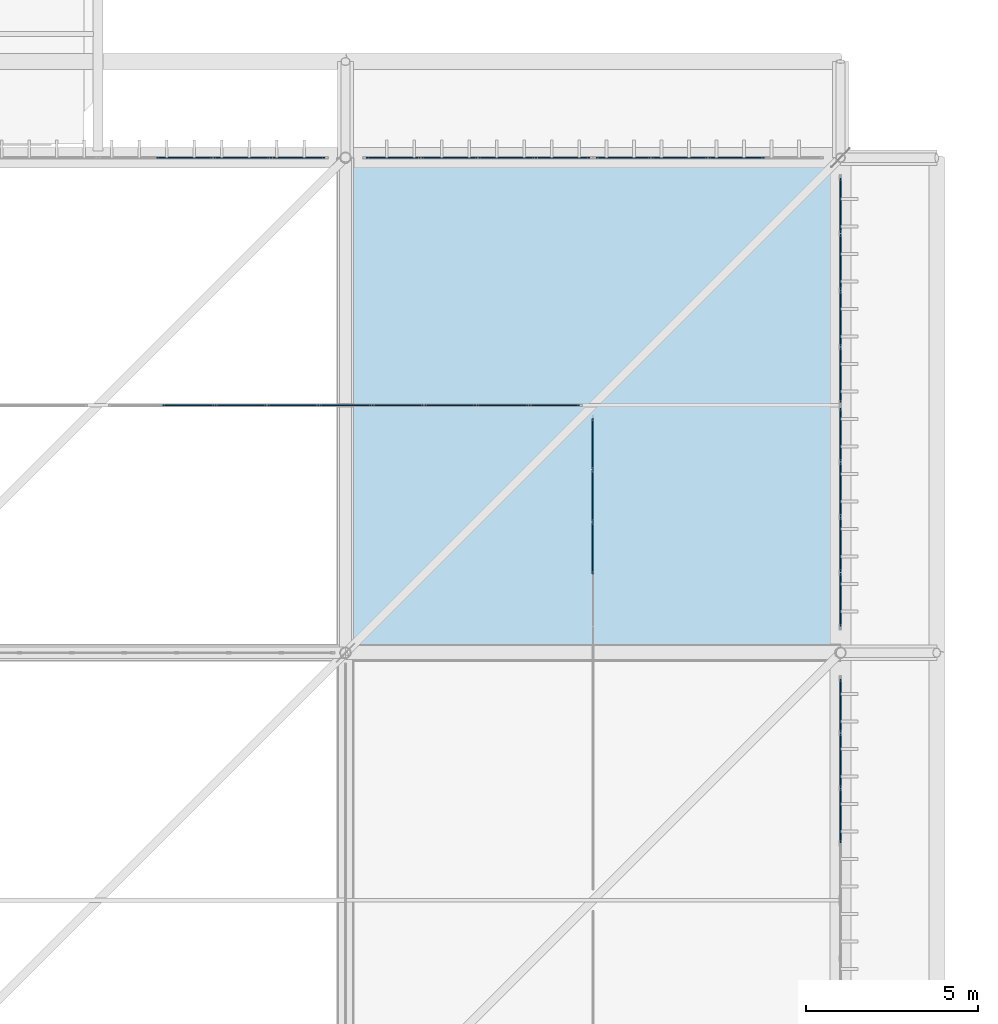
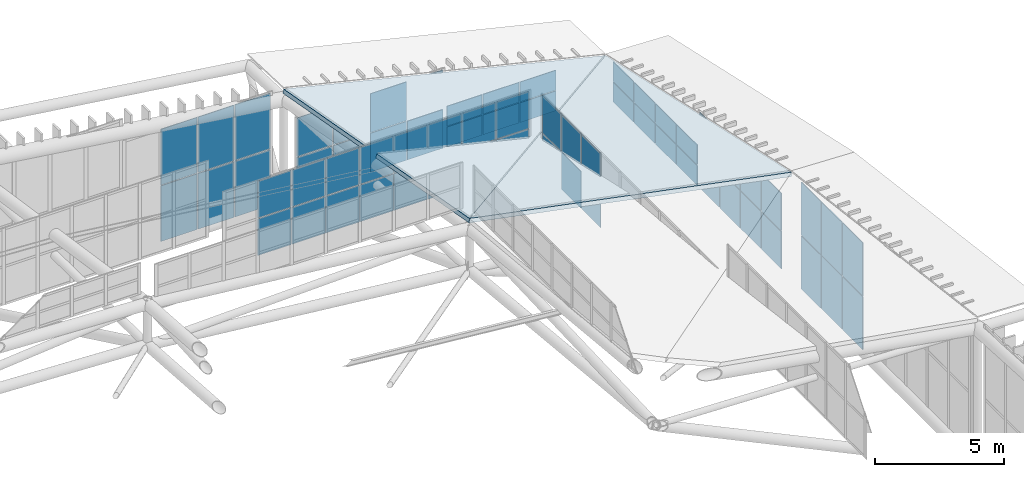
# One storey, part 383 of 397: 64 plates, 2 slabs, 8 elements without a shape of their own.
"""IFC4 building model written with IfcOpenShell, lengths in metres."""

from ifc_helpers import new_model, si_unit, direction, frame, origin, origin_2d, place, context, subcontext, project, spatial, polyline, rectangle, outline, extrude, material, layer, layer_set, type_object, element, aggregate, save


model = new_model("IFC4")

# Units and contexts
model_context = context("Model", 3, precision=1e-05, world=origin(), true_north=direction((0.0, 1.0)))
body_context = subcontext(model_context, "Body", "Model", "MODEL_VIEW")
ifc_project = project(units=[si_unit("LENGTHUNIT", "METRE"), si_unit("AREAUNIT", "SQUARE_METRE"), si_unit("VOLUMEUNIT", "CUBIC_METRE"), si_unit("PLANEANGLEUNIT", "RADIAN"), si_unit("MASSUNIT", "GRAM", prefix="KILO")], contexts=[model_context])

# Site, building, storey
site_placement = place(None, origin())
site = spatial("IfcSite", under=ifc_project, at=site_placement, CompositionType="ELEMENT")
building_placement = place(site_placement, origin())
building = spatial("IfcBuilding", under=site, at=building_placement, Name="Qandorah Velis Arena", CompositionType="ELEMENT")
storey_placement = place(building_placement, frame((0.0, 0.0, 27.5)))
storey = spatial("IfcBuildingStorey", under=building, at=storey_placement, Name="RF", CompositionType="ELEMENT", Elevation=27.5)

# Curtain wall, plates
ifc_material_1 = material(Name="Solar-control low-E double glazing", Category="glass")
curtain_wall_type_1 = type_object("IfcCurtainWallType", Name="ARC-CW-SYS18", PredefinedType="USERDEFINED", material=ifc_material_1)
curtain_wall_1_placement = place(storey_placement, origin())
curtain_wall_1 = element("IfcCurtainWall", 1, at=curtain_wall_1_placement, inside=storey, type_object=curtain_wall_type_1, Name="Unitised curtain wall MON-2-6", ObjectType="UNITISED CURTAIN WALL", PredefinedType="USERDEFINED")
ifc_layer_1 = layer(ifc_material_1, 0.030029296875)
ifc_layer_set_1 = layer_set([ifc_layer_1], Name="Solar-control low-E double glazing")
plate_type_1 = type_object("IfcPlateType", Name="ARC-CWP-GLZ30", PredefinedType="CURTAIN_PANEL", material=ifc_layer_set_1)
plate_1_placement = place(storey_placement, frame((108.0, 103.844482421875, 3.58642578125), z_axis=(0.0, 0.0, 1.0), x_axis=(0.0, 1.0, 0.0)))
plate_1 = element("IfcPlate", 2, at=plate_1_placement, type_object=plate_type_1, Name="CW18 panel 7.1", PredefinedType="CURTAIN_PANEL", context=body_context, shape_type="SweptSolid", body=[
    extrude(rectangle(XDim=1.4873046875, YDim=0.030029296875, at=origin_2d()), origin(), (0.0, 0.0, 1.0), 1.737548828125),
])
plate_2_placement = place(storey_placement, frame((108.0, 103.844482421875, 5.35888671875), z_axis=(0.0, 0.0, 1.0), x_axis=(0.0, 1.0, 0.0)))
plate_2 = element("IfcPlate", 3, at=plate_2_placement, type_object=plate_type_1, Name="CW18 panel 7.2", PredefinedType="CURTAIN_PANEL", context=body_context, shape_type="SweptSolid", body=[
    extrude(rectangle(XDim=1.4873046875, YDim=0.030029296875, at=origin_2d()), origin(), (0.0, 0.0, 1.0), 1.737548828125),
])
plate_3_placement = place(storey_placement, frame((108.0, 105.36669921875, 3.58642578125), z_axis=(0.0, 0.0, 1.0), x_axis=(0.0, 1.0, 0.0)))
plate_3 = element("IfcPlate", 4, at=plate_3_placement, type_object=plate_type_1, Name="CW18 panel 8.1", PredefinedType="CURTAIN_PANEL", context=body_context, shape_type="SweptSolid", body=[
    extrude(rectangle(XDim=1.4873046875, YDim=0.030029296875, at=origin_2d()), origin(), (0.0, 0.0, 1.0), 1.737548828125),
])
plate_4_placement = place(storey_placement, frame((108.0, 105.36669921875, 5.35888671875), z_axis=(0.0, 0.0, 1.0), x_axis=(0.0, 1.0, 0.0)))
plate_4 = element("IfcPlate", 5, at=plate_4_placement, type_object=plate_type_1, Name="CW18 panel 8.2", PredefinedType="CURTAIN_PANEL", context=body_context, shape_type="SweptSolid", body=[
    extrude(rectangle(XDim=1.4873046875, YDim=0.030029296875, at=origin_2d()), origin(), (0.0, 0.0, 1.0), 1.737548828125),
])
plate_5_placement = place(storey_placement, frame((108.0, 106.875244140625, 3.58642578125), z_axis=(0.0, 0.0, 1.0), x_axis=(0.0, 1.0, 0.0)))
plate_5 = element("IfcPlate", 6, at=plate_5_placement, type_object=plate_type_1, Name="CW18 panel 9.1", PredefinedType="CURTAIN_PANEL", context=body_context, shape_type="SweptSolid", body=[
    extrude(rectangle(XDim=1.459716796875, YDim=0.030029296875, at=origin_2d()), origin(), (0.0, 0.0, 1.0), 1.737548828125),
])
plate_6_placement = place(storey_placement, frame((108.0, 106.875244140625, 5.35888671875), z_axis=(0.0, 0.0, 1.0), x_axis=(0.0, 1.0, 0.0)))
plate_6 = element("IfcPlate", 7, at=plate_6_placement, type_object=plate_type_1, Name="CW18 panel 9.2", PredefinedType="CURTAIN_PANEL", context=body_context, shape_type="SweptSolid", body=[
    extrude(rectangle(XDim=1.459716796875, YDim=0.030029296875, at=origin_2d()), origin(), (0.0, 0.0, 1.0), 1.737548828125),
])
aggregate(curtain_wall_1, [plate_1, plate_2, plate_3, plate_4, plate_5, plate_6])

curtain_wall_type_2 = type_object("IfcCurtainWallType", Name="ARC-CW-SYS06", PredefinedType="USERDEFINED", material=ifc_material_1)
curtain_wall_2_placement = place(storey_placement, origin())
curtain_wall_2 = element("IfcCurtainWall", 8, at=curtain_wall_2_placement, inside=storey, type_object=curtain_wall_type_2, Name="Unitised curtain wall MON-4-6", ObjectType="UNITISED CURTAIN WALL", PredefinedType="USERDEFINED")
plate_7_placement = place(storey_placement, frame((96.2333984375, 108.0, 3.685546875), z_axis=(0.0, 0.0, 1.0), x_axis=(1.0, 0.0, 0.0)))
plate_7 = element("IfcPlate", 9, at=plate_7_placement, type_object=plate_type_1, Name="CW06 panel 2.1", PredefinedType="CURTAIN_PANEL", context=body_context, shape_type="SweptSolid", body=[
    extrude(rectangle(XDim=1.4873046875, YDim=0.030029296875, at=origin_2d()), origin(), (0.0, 0.0, 1.0), 1.737548828125),
])
plate_8_placement = place(storey_placement, frame((96.2333984375, 108.0, 5.45849609375), z_axis=(0.0, 0.0, 1.0), x_axis=(1.0, 0.0, 0.0)))
plate_8 = element("IfcPlate", 10, at=plate_8_placement, type_object=plate_type_1, Name="CW06 panel 2.2", PredefinedType="CURTAIN_PANEL", context=body_context, shape_type="SweptSolid", body=[
    extrude(rectangle(XDim=1.4873046875, YDim=0.030029296875, at=origin_2d()), origin(), (0.0, 0.0, 1.0), 1.737548828125),
])
plate_9_placement = place(storey_placement, frame((97.755615234375, 108.0, 3.685546875), z_axis=(0.0, 0.0, 1.0), x_axis=(1.0, 0.0, 0.0)))
plate_9 = element("IfcPlate", 11, at=plate_9_placement, type_object=plate_type_1, Name="CW06 panel 3.1", PredefinedType="CURTAIN_PANEL", context=body_context, shape_type="SweptSolid", body=[
    extrude(rectangle(XDim=1.4873046875, YDim=0.030029296875, at=origin_2d()), origin(), (0.0, 0.0, 1.0), 1.737548828125),
])
plate_10_placement = place(storey_placement, frame((97.755615234375, 108.0, 5.45849609375), z_axis=(0.0, 0.0, 1.0), x_axis=(1.0, 0.0, 0.0)))
plate_10 = element("IfcPlate", 12, at=plate_10_placement, type_object=plate_type_1, Name="CW06 panel 3.2", PredefinedType="CURTAIN_PANEL", context=body_context, shape_type="SweptSolid", body=[
    extrude(rectangle(XDim=1.4873046875, YDim=0.030029296875, at=origin_2d()), origin(), (0.0, 0.0, 1.0), 1.737548828125),
])
plate_11_placement = place(storey_placement, frame((99.27783203125, 108.0, 3.685546875), z_axis=(0.0, 0.0, 1.0), x_axis=(1.0, 0.0, 0.0)))
plate_11 = element("IfcPlate", 13, at=plate_11_placement, type_object=plate_type_1, Name="CW06 panel 4.1", PredefinedType="CURTAIN_PANEL", context=body_context, shape_type="SweptSolid", body=[
    extrude(rectangle(XDim=1.4873046875, YDim=0.030029296875, at=origin_2d()), origin(), (0.0, 0.0, 1.0), 1.737548828125),
])
plate_12_placement = place(storey_placement, frame((99.27783203125, 108.0, 5.45849609375), z_axis=(0.0, 0.0, 1.0), x_axis=(1.0, 0.0, 0.0)))
plate_12 = element("IfcPlate", 14, at=plate_12_placement, type_object=plate_type_1, Name="CW06 panel 4.2", PredefinedType="CURTAIN_PANEL", context=body_context, shape_type="SweptSolid", body=[
    extrude(rectangle(XDim=1.4873046875, YDim=0.030029296875, at=origin_2d()), origin(), (0.0, 0.0, 1.0), 1.737548828125),
])
plate_13_placement = place(storey_placement, frame((100.800048828125, 108.0, 3.685546875), z_axis=(0.0, 0.0, 1.0), x_axis=(1.0, 0.0, 0.0)))
plate_13 = element("IfcPlate", 15, at=plate_13_placement, type_object=plate_type_1, Name="CW06 panel 5.1", PredefinedType="CURTAIN_PANEL", context=body_context, shape_type="SweptSolid", body=[
    extrude(rectangle(XDim=1.4873046875, YDim=0.030029296875, at=origin_2d()), origin(), (0.0, 0.0, 1.0), 1.737548828125),
])
plate_14_placement = place(storey_placement, frame((100.800048828125, 108.0, 5.45849609375), z_axis=(0.0, 0.0, 1.0), x_axis=(1.0, 0.0, 0.0)))
plate_14 = element("IfcPlate", 16, at=plate_14_placement, type_object=plate_type_1, Name="CW06 panel 5.2", PredefinedType="CURTAIN_PANEL", context=body_context, shape_type="SweptSolid", body=[
    extrude(rectangle(XDim=1.4873046875, YDim=0.030029296875, at=origin_2d()), origin(), (0.0, 0.0, 1.0), 1.737548828125),
])
plate_15_placement = place(storey_placement, frame((102.322265625, 108.0, 3.685546875), z_axis=(0.0, 0.0, 1.0), x_axis=(1.0, 0.0, 0.0)))
plate_15 = element("IfcPlate", 17, at=plate_15_placement, type_object=plate_type_1, Name="CW06 panel 6.1", PredefinedType="CURTAIN_PANEL", context=body_context, shape_type="SweptSolid", body=[
    extrude(rectangle(XDim=1.4873046875, YDim=0.030029296875, at=origin_2d()), origin(), (0.0, 0.0, 1.0), 1.737548828125),
])
plate_16_placement = place(storey_placement, frame((102.322265625, 108.0, 5.45849609375), z_axis=(0.0, 0.0, 1.0), x_axis=(1.0, 0.0, 0.0)))
plate_16 = element("IfcPlate", 18, at=plate_16_placement, type_object=plate_type_1, Name="CW06 panel 6.2", PredefinedType="CURTAIN_PANEL", context=body_context, shape_type="SweptSolid", body=[
    extrude(rectangle(XDim=1.4873046875, YDim=0.030029296875, at=origin_2d()), origin(), (0.0, 0.0, 1.0), 1.737548828125),
])
plate_17_placement = place(storey_placement, frame((103.844482421875, 108.0, 3.685546875), z_axis=(0.0, 0.0, 1.0), x_axis=(1.0, 0.0, 0.0)))
plate_17 = element("IfcPlate", 19, at=plate_17_placement, type_object=plate_type_1, Name="CW06 panel 7.1", PredefinedType="CURTAIN_PANEL", context=body_context, shape_type="SweptSolid", body=[
    extrude(rectangle(XDim=1.4873046875, YDim=0.030029296875, at=origin_2d()), origin(), (0.0, 0.0, 1.0), 1.737548828125),
])
plate_18_placement = place(storey_placement, frame((103.844482421875, 108.0, 5.45849609375), z_axis=(0.0, 0.0, 1.0), x_axis=(1.0, 0.0, 0.0)))
plate_18 = element("IfcPlate", 20, at=plate_18_placement, type_object=plate_type_1, Name="CW06 panel 7.2", PredefinedType="CURTAIN_PANEL", context=body_context, shape_type="SweptSolid", body=[
    extrude(rectangle(XDim=1.4873046875, YDim=0.030029296875, at=origin_2d()), origin(), (0.0, 0.0, 1.0), 1.737548828125),
])
plate_19_placement = place(storey_placement, frame((105.36669921875, 108.0, 3.685546875), z_axis=(0.0, 0.0, 1.0), x_axis=(1.0, 0.0, 0.0)))
plate_19 = element("IfcPlate", 21, at=plate_19_placement, type_object=plate_type_1, Name="CW06 panel 8.1", PredefinedType="CURTAIN_PANEL", context=body_context, shape_type="SweptSolid", body=[
    extrude(rectangle(XDim=1.4873046875, YDim=0.030029296875, at=origin_2d()), origin(), (0.0, 0.0, 1.0), 1.737548828125),
])
plate_20_placement = place(storey_placement, frame((105.36669921875, 108.0, 5.45849609375), z_axis=(0.0, 0.0, 1.0), x_axis=(1.0, 0.0, 0.0)))
plate_20 = element("IfcPlate", 22, at=plate_20_placement, type_object=plate_type_1, Name="CW06 panel 8.2", PredefinedType="CURTAIN_PANEL", context=body_context, shape_type="SweptSolid", body=[
    extrude(rectangle(XDim=1.4873046875, YDim=0.030029296875, at=origin_2d()), origin(), (0.0, 0.0, 1.0), 1.737548828125),
])
plate_21_placement = place(storey_placement, frame((106.875244140625, 108.0, 3.685546875), z_axis=(0.0, 0.0, 1.0), x_axis=(1.0, 0.0, 0.0)))
plate_21 = element("IfcPlate", 23, at=plate_21_placement, type_object=plate_type_1, Name="CW06 panel 9.1", PredefinedType="CURTAIN_PANEL", context=body_context, shape_type="SweptSolid", body=[
    extrude(rectangle(XDim=1.459716796875, YDim=0.030029296875, at=origin_2d()), origin(), (0.0, 0.0, 1.0), 1.737548828125),
])
plate_22_placement = place(storey_placement, frame((106.875244140625, 108.0, 5.45849609375), z_axis=(0.0, 0.0, 1.0), x_axis=(1.0, 0.0, 0.0)))
plate_22 = element("IfcPlate", 24, at=plate_22_placement, type_object=plate_type_1, Name="CW06 panel 9.2", PredefinedType="CURTAIN_PANEL", context=body_context, shape_type="SweptSolid", body=[
    extrude(rectangle(XDim=1.459716796875, YDim=0.030029296875, at=origin_2d()), origin(), (0.0, 0.0, 1.0), 1.737548828125),
])
aggregate(curtain_wall_2, [plate_7, plate_8, plate_9, plate_10, plate_11, plate_12, plate_13, plate_14, plate_15, plate_16, plate_17, plate_18, plate_19, plate_20, plate_21, plate_22])

curtain_wall_type_3 = type_object("IfcCurtainWallType", Name="ARC-CW-SYS16", PredefinedType="USERDEFINED", material=ifc_material_1)
curtain_wall_3_placement = place(storey_placement, origin())
curtain_wall_3 = element("IfcCurtainWall", 25, at=curtain_wall_3_placement, inside=storey, type_object=curtain_wall_type_3, Name="Unitised curtain wall CROWN-2-07S2", ObjectType="UNITISED CURTAIN WALL", PredefinedType="USERDEFINED")
ifc_layer_2 = layer(ifc_material_1, 0.035888671875)
ifc_layer_set_2 = layer_set([ifc_layer_2], Name="Solar-control low-E double glazing")
plate_type_2 = type_object("IfcPlateType", Name="ARC-CWP-GLZ36", PredefinedType="CURTAIN_PANEL", material=ifc_layer_set_2)
plate_23_placement = place(storey_placement, frame((115.199951171875, 96.05322265625, 0.0498046875), z_axis=(0.0, 0.0, 1.0), x_axis=(0.0, 1.0, 0.0)))
plate_23 = element("IfcPlate", 26, at=plate_23_placement, type_object=plate_type_2, Name="CW16 panel 2.1", PredefinedType="CURTAIN_PANEL", context=body_context, shape_type="SweptSolid", body=[
    extrude(rectangle(XDim=1.56884765625, YDim=0.035888671875, at=origin_2d()), origin(), (0.0, 0.0, 1.0), 2.505615234375),
])
plate_24_placement = place(storey_placement, frame((115.199951171875, 96.05322265625, 2.595703125), z_axis=(0.0, 0.0, 1.0), x_axis=(0.0, 1.0, 0.0)))
plate_24 = element("IfcPlate", 27, at=plate_24_placement, type_object=plate_type_2, Name="CW16 panel 2.2", PredefinedType="CURTAIN_PANEL", context=body_context, shape_type="SweptSolid", body=[
    extrude(rectangle(XDim=1.56884765625, YDim=0.035888671875, at=origin_2d()), origin(), (0.0, 0.0, 1.0), 2.505615234375),
])
plate_25_placement = place(storey_placement, frame((115.199951171875, 97.661865234375, 0.0498046875), z_axis=(0.0, 0.0, 1.0), x_axis=(0.0, 1.0, 0.0)))
plate_25 = element("IfcPlate", 28, at=plate_25_placement, type_object=plate_type_2, Name="CW16 panel 3.1", PredefinedType="CURTAIN_PANEL", context=body_context, shape_type="SweptSolid", body=[
    extrude(rectangle(XDim=1.56884765625, YDim=0.035888671875, at=origin_2d()), origin(), (0.0, 0.0, 1.0), 2.505615234375),
])
plate_26_placement = place(storey_placement, frame((115.199951171875, 97.661865234375, 2.595703125), z_axis=(0.0, 0.0, 1.0), x_axis=(0.0, 1.0, 0.0)))
plate_26 = element("IfcPlate", 29, at=plate_26_placement, type_object=plate_type_2, Name="CW16 panel 3.2", PredefinedType="CURTAIN_PANEL", context=body_context, shape_type="SweptSolid", body=[
    extrude(rectangle(XDim=1.56884765625, YDim=0.035888671875, at=origin_2d()), origin(), (0.0, 0.0, 1.0), 2.505615234375),
])
plate_27_placement = place(storey_placement, frame((115.199951171875, 99.255615234375, 0.0498046875), z_axis=(0.0, 0.0, 1.0), x_axis=(0.0, 1.0, 0.0)))
plate_27 = element("IfcPlate", 30, at=plate_27_placement, type_object=plate_type_2, Name="CW16 panel 4.1", PredefinedType="CURTAIN_PANEL", context=body_context, shape_type="SweptSolid", body=[
    extrude(rectangle(XDim=1.538818359375, YDim=0.035888671875, at=origin_2d()), origin(), (0.0, 0.0, 1.0), 2.505615234375),
])
plate_28_placement = place(storey_placement, frame((115.199951171875, 99.255615234375, 2.595703125), z_axis=(0.0, 0.0, 1.0), x_axis=(0.0, 1.0, 0.0)))
plate_28 = element("IfcPlate", 31, at=plate_28_placement, type_object=plate_type_2, Name="CW16 panel 4.2", PredefinedType="CURTAIN_PANEL", context=body_context, shape_type="SweptSolid", body=[
    extrude(rectangle(XDim=1.538818359375, YDim=0.035888671875, at=origin_2d()), origin(), (0.0, 0.0, 1.0), 2.505615234375),
])
aggregate(curtain_wall_3, [plate_23, plate_24, plate_25, plate_26, plate_27, plate_28])

curtain_wall_4_placement = place(storey_placement, origin())
curtain_wall_4 = element("IfcCurtainWall", 32, at=curtain_wall_4_placement, inside=storey, type_object=curtain_wall_type_3, Name="Unitised curtain wall CROWN-2-08S1", ObjectType="UNITISED CURTAIN WALL", PredefinedType="USERDEFINED")
plate_29_placement = place(storey_placement, frame((115.199951171875, 102.344482421875, 0.050048828125), z_axis=(0.0, 0.0, 1.0), x_axis=(0.0, 1.0, 0.0)))
plate_29 = element("IfcPlate", 33, at=plate_29_placement, type_object=plate_type_2, Name="CW16 panel 1.1", PredefinedType="CURTAIN_PANEL", context=body_context, shape_type="SweptSolid", body=[
    extrude(rectangle(XDim=1.538818359375, YDim=0.035888671875, at=origin_2d()), origin(), (0.0, 0.0, 1.0), 1.76025390625),
])
plate_30_placement = place(storey_placement, frame((115.199951171875, 102.344482421875, 1.850341796875), z_axis=(0.0, 0.0, 1.0), x_axis=(0.0, 1.0, 0.0)))
plate_30 = element("IfcPlate", 34, at=plate_30_placement, type_object=plate_type_2, Name="CW16 panel 1.2", PredefinedType="CURTAIN_PANEL", context=body_context, shape_type="SweptSolid", body=[
    extrude(rectangle(XDim=1.538818359375, YDim=0.035888671875, at=origin_2d()), origin(), (0.0, 0.0, 1.0), 1.76025390625),
])
plate_31_placement = place(storey_placement, frame((115.199951171875, 103.938232421875, 0.050048828125), z_axis=(0.0, 0.0, 1.0), x_axis=(0.0, 1.0, 0.0)))
plate_31 = element("IfcPlate", 35, at=plate_31_placement, type_object=plate_type_2, Name="CW16 panel 2.1", PredefinedType="CURTAIN_PANEL", context=body_context, shape_type="SweptSolid", body=[
    extrude(rectangle(XDim=1.568603515625, YDim=0.035888671875, at=origin_2d()), origin(), (0.0, 0.0, 1.0), 1.76025390625),
])
plate_32_placement = place(storey_placement, frame((115.199951171875, 103.938232421875, 1.850341796875), z_axis=(0.0, 0.0, 1.0), x_axis=(0.0, 1.0, 0.0)))
plate_32 = element("IfcPlate", 36, at=plate_32_placement, type_object=plate_type_2, Name="CW16 panel 2.2", PredefinedType="CURTAIN_PANEL", context=body_context, shape_type="SweptSolid", body=[
    extrude(rectangle(XDim=1.568603515625, YDim=0.035888671875, at=origin_2d()), origin(), (0.0, 0.0, 1.0), 1.76025390625),
])
plate_33_placement = place(storey_placement, frame((115.199951171875, 105.546875, 0.050048828125), z_axis=(0.0, 0.0, 1.0), x_axis=(0.0, 1.0, 0.0)))
plate_33 = element("IfcPlate", 37, at=plate_33_placement, type_object=plate_type_2, Name="CW16 panel 3.1", PredefinedType="CURTAIN_PANEL", context=body_context, shape_type="SweptSolid", body=[
    extrude(rectangle(XDim=1.568603515625, YDim=0.035888671875, at=origin_2d()), origin(), (0.0, 0.0, 1.0), 1.76025390625),
])
plate_34_placement = place(storey_placement, frame((115.199951171875, 105.546875, 1.850341796875), z_axis=(0.0, 0.0, 1.0), x_axis=(0.0, 1.0, 0.0)))
plate_34 = element("IfcPlate", 38, at=plate_34_placement, type_object=plate_type_2, Name="CW16 panel 3.2", PredefinedType="CURTAIN_PANEL", context=body_context, shape_type="SweptSolid", body=[
    extrude(rectangle(XDim=1.568603515625, YDim=0.035888671875, at=origin_2d()), origin(), (0.0, 0.0, 1.0), 1.76025390625),
])
plate_35_placement = place(storey_placement, frame((115.199951171875, 107.140625, 0.050048828125), z_axis=(0.0, 0.0, 1.0), x_axis=(0.0, 1.0, 0.0)))
plate_35 = element("IfcPlate", 39, at=plate_35_placement, type_object=plate_type_2, Name="CW16 panel 4.1", PredefinedType="CURTAIN_PANEL", context=body_context, shape_type="SweptSolid", body=[
    extrude(rectangle(XDim=1.538818359375, YDim=0.035888671875, at=origin_2d()), origin(), (0.0, 0.0, 1.0), 1.76025390625),
])
plate_36_placement = place(storey_placement, frame((115.199951171875, 107.140625, 1.850341796875), z_axis=(0.0, 0.0, 1.0), x_axis=(0.0, 1.0, 0.0)))
plate_36 = element("IfcPlate", 40, at=plate_36_placement, type_object=plate_type_2, Name="CW16 panel 4.2", PredefinedType="CURTAIN_PANEL", context=body_context, shape_type="SweptSolid", body=[
    extrude(rectangle(XDim=1.538818359375, YDim=0.035888671875, at=origin_2d()), origin(), (0.0, 0.0, 1.0), 1.76025390625),
])
aggregate(curtain_wall_4, [plate_29, plate_30, plate_31, plate_32, plate_33, plate_34, plate_35, plate_36])

curtain_wall_type_4 = type_object("IfcCurtainWallType", Name="ARC-CW-SYS17", PredefinedType="USERDEFINED", material=ifc_material_1)
curtain_wall_5_placement = place(storey_placement, origin())
curtain_wall_5 = element("IfcCurtainWall", 41, at=curtain_wall_5_placement, inside=storey, type_object=curtain_wall_type_4, Name="Unitised curtain wall CROWN-2-08S2", ObjectType="UNITISED CURTAIN WALL", PredefinedType="USERDEFINED")
plate_37_placement = place(storey_placement, frame((115.199951171875, 108.88134765625, 0.0498046875), z_axis=(0.0, 0.0, 1.0), x_axis=(0.0, 1.0, 0.0)))
plate_37 = element("IfcPlate", 42, at=plate_37_placement, type_object=plate_type_2, Name="CW17 panel 1.1", PredefinedType="CURTAIN_PANEL", context=body_context, shape_type="SweptSolid", body=[
    extrude(rectangle(XDim=1.58251953125, YDim=0.035888671875, at=origin_2d()), origin(), (0.0, 0.0, 1.0), 0.931396484375),
])
plate_38_placement = place(storey_placement, frame((115.199951171875, 108.88134765625, 1.021484375), z_axis=(0.0, 0.0, 1.0), x_axis=(0.0, 1.0, 0.0)))
plate_38 = element("IfcPlate", 43, at=plate_38_placement, type_object=plate_type_2, Name="CW17 panel 1.2", PredefinedType="CURTAIN_PANEL", context=body_context, shape_type="SweptSolid", body=[
    extrude(rectangle(XDim=1.58251953125, YDim=0.035888671875, at=origin_2d()), origin(), (0.0, 0.0, 1.0), 0.931396484375),
])
plate_39_placement = place(storey_placement, frame((115.199951171875, 110.518798828125, 0.0498046875), z_axis=(0.0, 0.0, 1.0), x_axis=(0.0, 1.0, 0.0)))
plate_39 = element("IfcPlate", 44, at=plate_39_placement, type_object=plate_type_2, Name="CW17 panel 2.1", PredefinedType="CURTAIN_PANEL", context=body_context, shape_type="SweptSolid", body=[
    extrude(rectangle(XDim=1.612548828125, YDim=0.035888671875, at=origin_2d()), origin(), (0.0, 0.0, 1.0), 0.931396484375),
])
plate_40_placement = place(storey_placement, frame((115.199951171875, 110.518798828125, 1.021484375), z_axis=(0.0, 0.0, 1.0), x_axis=(0.0, 1.0, 0.0)))
plate_40 = element("IfcPlate", 45, at=plate_40_placement, type_object=plate_type_2, Name="CW17 panel 2.2", PredefinedType="CURTAIN_PANEL", context=body_context, shape_type="SweptSolid", body=[
    extrude(rectangle(XDim=1.612548828125, YDim=0.035888671875, at=origin_2d()), origin(), (0.0, 0.0, 1.0), 0.931396484375),
])
plate_41_placement = place(storey_placement, frame((115.199951171875, 112.171142578125, 0.0498046875), z_axis=(0.0, 0.0, 1.0), x_axis=(0.0, 1.0, 0.0)))
plate_41 = element("IfcPlate", 46, at=plate_41_placement, type_object=plate_type_2, Name="CW17 panel 3.1", PredefinedType="CURTAIN_PANEL", context=body_context, shape_type="SweptSolid", body=[
    extrude(rectangle(XDim=1.612548828125, YDim=0.035888671875, at=origin_2d()), origin(), (0.0, 0.0, 1.0), 0.931396484375),
])
plate_42_placement = place(storey_placement, frame((115.199951171875, 112.171142578125, 1.021484375), z_axis=(0.0, 0.0, 1.0), x_axis=(0.0, 1.0, 0.0)))
plate_42 = element("IfcPlate", 47, at=plate_42_placement, type_object=plate_type_2, Name="CW17 panel 3.2", PredefinedType="CURTAIN_PANEL", context=body_context, shape_type="SweptSolid", body=[
    extrude(rectangle(XDim=1.612548828125, YDim=0.035888671875, at=origin_2d()), origin(), (0.0, 0.0, 1.0), 0.931396484375),
])
plate_43_placement = place(storey_placement, frame((115.199951171875, 113.808837890625, 0.0498046875), z_axis=(0.0, 0.0, 1.0), x_axis=(0.0, 1.0, 0.0)))
plate_43 = element("IfcPlate", 48, at=plate_43_placement, type_object=plate_type_2, Name="CW17 panel 4.1", PredefinedType="CURTAIN_PANEL", context=body_context, shape_type="SweptSolid", body=[
    extrude(rectangle(XDim=1.58251953125, YDim=0.035888671875, at=origin_2d()), origin(), (0.0, 0.0, 1.0), 0.931396484375),
])
plate_44_placement = place(storey_placement, frame((115.199951171875, 113.808837890625, 1.021484375), z_axis=(0.0, 0.0, 1.0), x_axis=(0.0, 1.0, 0.0)))
plate_44 = element("IfcPlate", 49, at=plate_44_placement, type_object=plate_type_2, Name="CW17 panel 4.2", PredefinedType="CURTAIN_PANEL", context=body_context, shape_type="SweptSolid", body=[
    extrude(rectangle(XDim=1.58251953125, YDim=0.035888671875, at=origin_2d()), origin(), (0.0, 0.0, 1.0), 0.931396484375),
])
aggregate(curtain_wall_5, [plate_37, plate_38, plate_39, plate_40, plate_41, plate_42, plate_43, plate_44])

curtain_wall_type_5 = type_object("IfcCurtainWallType", Name="ARC-CW-SYS07", PredefinedType="USERDEFINED", material=ifc_material_1)
curtain_wall_6_placement = place(storey_placement, origin())
curtain_wall_6 = element("IfcCurtainWall", 50, at=curtain_wall_6_placement, inside=storey, type_object=curtain_wall_type_5, Name="Unitised curtain wall CROWN-4-06S2", ObjectType="UNITISED CURTAIN WALL", PredefinedType="USERDEFINED")
plate_45_placement = place(storey_placement, frame((96.11865234375, 115.199951171875, 0.0498046875), z_axis=(0.0, 0.0, 1.0), x_axis=(1.0, 0.0, 0.0)))
plate_45 = element("IfcPlate", 51, at=plate_45_placement, type_object=plate_type_2, Name="CW07 panel 2.1", PredefinedType="CURTAIN_PANEL", context=body_context, shape_type="SweptSolid", body=[
    extrude(rectangle(XDim=1.612548828125, YDim=0.035888671875, at=origin_2d()), origin(), (0.0, 0.0, 1.0), 2.630615234375),
])
plate_46_placement = place(storey_placement, frame((96.11865234375, 115.199951171875, 2.720458984375), z_axis=(0.0, 0.0, 1.0), x_axis=(1.0, 0.0, 0.0)))
plate_46 = element("IfcPlate", 52, at=plate_46_placement, type_object=plate_type_2, Name="CW07 panel 2.2", PredefinedType="CURTAIN_PANEL", context=body_context, shape_type="SweptSolid", body=[
    extrude(rectangle(XDim=1.612548828125, YDim=0.035888671875, at=origin_2d()), origin(), (0.0, 0.0, 1.0), 2.63037109375),
])
plate_47_placement = place(storey_placement, frame((97.771240234375, 115.199951171875, 0.0498046875), z_axis=(0.0, 0.0, 1.0), x_axis=(1.0, 0.0, 0.0)))
plate_47 = element("IfcPlate", 53, at=plate_47_placement, type_object=plate_type_2, Name="CW07 panel 3.1", PredefinedType="CURTAIN_PANEL", context=body_context, shape_type="SweptSolid", body=[
    extrude(rectangle(XDim=1.612548828125, YDim=0.035888671875, at=origin_2d()), origin(), (0.0, 0.0, 1.0), 2.630615234375),
])
plate_48_placement = place(storey_placement, frame((97.771240234375, 115.199951171875, 2.720458984375), z_axis=(0.0, 0.0, 1.0), x_axis=(1.0, 0.0, 0.0)))
plate_48 = element("IfcPlate", 54, at=plate_48_placement, type_object=plate_type_2, Name="CW07 panel 3.2", PredefinedType="CURTAIN_PANEL", context=body_context, shape_type="SweptSolid", body=[
    extrude(rectangle(XDim=1.612548828125, YDim=0.035888671875, at=origin_2d()), origin(), (0.0, 0.0, 1.0), 2.63037109375),
])
plate_49_placement = place(storey_placement, frame((99.40869140625, 115.199951171875, 0.0498046875), z_axis=(0.0, 0.0, 1.0), x_axis=(1.0, 0.0, 0.0)))
plate_49 = element("IfcPlate", 55, at=plate_49_placement, type_object=plate_type_2, Name="CW07 panel 4.1", PredefinedType="CURTAIN_PANEL", context=body_context, shape_type="SweptSolid", body=[
    extrude(rectangle(XDim=1.58251953125, YDim=0.035888671875, at=origin_2d()), origin(), (0.0, 0.0, 1.0), 2.630615234375),
])
plate_50_placement = place(storey_placement, frame((99.40869140625, 115.199951171875, 2.720458984375), z_axis=(0.0, 0.0, 1.0), x_axis=(1.0, 0.0, 0.0)))
plate_50 = element("IfcPlate", 56, at=plate_50_placement, type_object=plate_type_2, Name="CW07 panel 4.2", PredefinedType="CURTAIN_PANEL", context=body_context, shape_type="SweptSolid", body=[
    extrude(rectangle(XDim=1.58251953125, YDim=0.035888671875, at=origin_2d()), origin(), (0.0, 0.0, 1.0), 2.63037109375),
])
aggregate(curtain_wall_6, [plate_45, plate_46, plate_47, plate_48, plate_49, plate_50])

curtain_wall_7_placement = place(storey_placement, origin())
curtain_wall_7 = element("IfcCurtainWall", 57, at=curtain_wall_7_placement, inside=storey, type_object=curtain_wall_type_5, Name="Unitised curtain wall CROWN-4-07S1", ObjectType="UNITISED CURTAIN WALL", PredefinedType="USERDEFINED")
plate_51_placement = place(storey_placement, frame((102.191162109375, 115.199951171875, 0.0498046875), z_axis=(0.0, 0.0, 1.0), x_axis=(1.0, 0.0, 0.0)))
plate_51 = element("IfcPlate", 58, at=plate_51_placement, type_object=plate_type_2, Name="CW07 panel 1.1", PredefinedType="CURTAIN_PANEL", context=body_context, shape_type="SweptSolid", body=[
    extrude(rectangle(XDim=1.58251953125, YDim=0.035888671875, at=origin_2d()), origin(), (0.0, 0.0, 1.0), 1.832275390625),
])
plate_52_placement = place(storey_placement, frame((102.191162109375, 115.199951171875, 1.92236328125), z_axis=(0.0, 0.0, 1.0), x_axis=(1.0, 0.0, 0.0)))
plate_52 = element("IfcPlate", 59, at=plate_52_placement, type_object=plate_type_2, Name="CW07 panel 1.2", PredefinedType="CURTAIN_PANEL", context=body_context, shape_type="SweptSolid", body=[
    extrude(rectangle(XDim=1.58251953125, YDim=0.035888671875, at=origin_2d()), origin(), (0.0, 0.0, 1.0), 1.832275390625),
])
plate_53_placement = place(storey_placement, frame((103.828857421875, 115.199951171875, 0.0498046875), z_axis=(0.0, 0.0, 1.0), x_axis=(1.0, 0.0, 0.0)))
plate_53 = element("IfcPlate", 60, at=plate_53_placement, type_object=plate_type_2, Name="CW07 panel 2.1", PredefinedType="CURTAIN_PANEL", context=body_context, shape_type="SweptSolid", body=[
    extrude(rectangle(XDim=1.612548828125, YDim=0.035888671875, at=origin_2d()), origin(), (0.0, 0.0, 1.0), 1.832275390625),
])
plate_54_placement = place(storey_placement, frame((103.828857421875, 115.199951171875, 1.92236328125), z_axis=(0.0, 0.0, 1.0), x_axis=(1.0, 0.0, 0.0)))
plate_54 = element("IfcPlate", 61, at=plate_54_placement, type_object=plate_type_2, Name="CW07 panel 2.2", PredefinedType="CURTAIN_PANEL", context=body_context, shape_type="SweptSolid", body=[
    extrude(rectangle(XDim=1.612548828125, YDim=0.035888671875, at=origin_2d()), origin(), (0.0, 0.0, 1.0), 1.832275390625),
])
plate_55_placement = place(storey_placement, frame((105.481201171875, 115.199951171875, 0.0498046875), z_axis=(0.0, 0.0, 1.0), x_axis=(1.0, 0.0, 0.0)))
plate_55 = element("IfcPlate", 62, at=plate_55_placement, type_object=plate_type_2, Name="CW07 panel 3.1", PredefinedType="CURTAIN_PANEL", context=body_context, shape_type="SweptSolid", body=[
    extrude(rectangle(XDim=1.612548828125, YDim=0.035888671875, at=origin_2d()), origin(), (0.0, 0.0, 1.0), 1.832275390625),
])
plate_56_placement = place(storey_placement, frame((105.481201171875, 115.199951171875, 1.92236328125), z_axis=(0.0, 0.0, 1.0), x_axis=(1.0, 0.0, 0.0)))
plate_56 = element("IfcPlate", 63, at=plate_56_placement, type_object=plate_type_2, Name="CW07 panel 3.2", PredefinedType="CURTAIN_PANEL", context=body_context, shape_type="SweptSolid", body=[
    extrude(rectangle(XDim=1.612548828125, YDim=0.035888671875, at=origin_2d()), origin(), (0.0, 0.0, 1.0), 1.832275390625),
])
plate_57_placement = place(storey_placement, frame((107.11865234375, 115.199951171875, 0.0498046875), z_axis=(0.0, 0.0, 1.0), x_axis=(1.0, 0.0, 0.0)))
plate_57 = element("IfcPlate", 64, at=plate_57_placement, type_object=plate_type_2, Name="CW07 panel 4.1", PredefinedType="CURTAIN_PANEL", context=body_context, shape_type="SweptSolid", body=[
    extrude(rectangle(XDim=1.58251953125, YDim=0.035888671875, at=origin_2d()), origin(), (0.0, 0.0, 1.0), 1.832275390625),
])
plate_58_placement = place(storey_placement, frame((107.11865234375, 115.199951171875, 1.92236328125), z_axis=(0.0, 0.0, 1.0), x_axis=(1.0, 0.0, 0.0)))
plate_58 = element("IfcPlate", 65, at=plate_58_placement, type_object=plate_type_2, Name="CW07 panel 4.2", PredefinedType="CURTAIN_PANEL", context=body_context, shape_type="SweptSolid", body=[
    extrude(rectangle(XDim=1.58251953125, YDim=0.035888671875, at=origin_2d()), origin(), (0.0, 0.0, 1.0), 1.832275390625),
])
aggregate(curtain_wall_7, [plate_51, plate_52, plate_53, plate_54, plate_55, plate_56, plate_57, plate_58])

curtain_wall_type_6 = type_object("IfcCurtainWallType", Name="ARC-CW-SYS08", PredefinedType="USERDEFINED", material=ifc_material_1)
curtain_wall_8_placement = place(storey_placement, origin())
curtain_wall_8 = element("IfcCurtainWall", 66, at=curtain_wall_8_placement, inside=storey, type_object=curtain_wall_type_6, Name="Unitised curtain wall CROWN-4-07S2", ObjectType="UNITISED CURTAIN WALL", PredefinedType="USERDEFINED")
plate_59_placement = place(storey_placement, frame((108.88134765625, 115.199951171875, 0.0498046875), z_axis=(0.0, 0.0, 1.0), x_axis=(1.0, 0.0, 0.0)))
plate_59 = element("IfcPlate", 67, at=plate_59_placement, type_object=plate_type_2, Name="CW08 panel 1.1", PredefinedType="CURTAIN_PANEL", context=body_context, shape_type="SweptSolid", body=[
    extrude(rectangle(XDim=1.58251953125, YDim=0.035888671875, at=origin_2d()), origin(), (0.0, 0.0, 1.0), 0.937744140625),
])
plate_60_placement = place(storey_placement, frame((108.88134765625, 115.199951171875, 1.02783203125), z_axis=(0.0, 0.0, 1.0), x_axis=(1.0, 0.0, 0.0)))
plate_60 = element("IfcPlate", 68, at=plate_60_placement, type_object=plate_type_2, Name="CW08 panel 1.2", PredefinedType="CURTAIN_PANEL", context=body_context, shape_type="SweptSolid", body=[
    extrude(rectangle(XDim=1.58251953125, YDim=0.035888671875, at=origin_2d()), origin(), (0.0, 0.0, 1.0), 0.937744140625),
])
plate_61_placement = place(storey_placement, frame((110.518798828125, 115.199951171875, 0.0498046875), z_axis=(0.0, 0.0, 1.0), x_axis=(1.0, 0.0, 0.0)))
plate_61 = element("IfcPlate", 69, at=plate_61_placement, type_object=plate_type_2, Name="CW08 panel 2.1", PredefinedType="CURTAIN_PANEL", context=body_context, shape_type="SweptSolid", body=[
    extrude(rectangle(XDim=1.612548828125, YDim=0.035888671875, at=origin_2d()), origin(), (0.0, 0.0, 1.0), 0.937744140625),
])
plate_62_placement = place(storey_placement, frame((110.518798828125, 115.199951171875, 1.02783203125), z_axis=(0.0, 0.0, 1.0), x_axis=(1.0, 0.0, 0.0)))
plate_62 = element("IfcPlate", 70, at=plate_62_placement, type_object=plate_type_2, Name="CW08 panel 2.2", PredefinedType="CURTAIN_PANEL", context=body_context, shape_type="SweptSolid", body=[
    extrude(rectangle(XDim=1.612548828125, YDim=0.035888671875, at=origin_2d()), origin(), (0.0, 0.0, 1.0), 0.937744140625),
])
plate_63_placement = place(storey_placement, frame((112.171142578125, 115.199951171875, 0.0498046875), z_axis=(0.0, 0.0, 1.0), x_axis=(1.0, 0.0, 0.0)))
plate_63 = element("IfcPlate", 71, at=plate_63_placement, type_object=plate_type_2, Name="CW08 panel 3.1", PredefinedType="CURTAIN_PANEL", context=body_context, shape_type="SweptSolid", body=[
    extrude(rectangle(XDim=1.612548828125, YDim=0.035888671875, at=origin_2d()), origin(), (0.0, 0.0, 1.0), 0.937744140625),
])
plate_64_placement = place(storey_placement, frame((112.171142578125, 115.199951171875, 1.02783203125), z_axis=(0.0, 0.0, 1.0), x_axis=(1.0, 0.0, 0.0)))
plate_64 = element("IfcPlate", 72, at=plate_64_placement, type_object=plate_type_2, Name="CW08 panel 3.2", PredefinedType="CURTAIN_PANEL", context=body_context, shape_type="SweptSolid", body=[
    extrude(rectangle(XDim=1.612548828125, YDim=0.035888671875, at=origin_2d()), origin(), (0.0, 0.0, 1.0), 0.937744140625),
])
aggregate(curtain_wall_8, [plate_59, plate_60, plate_61, plate_62, plate_63, plate_64])

# Slabs
ifc_material_2 = material(Name="Concrete C40/50", Category="concrete")
ifc_layer_3 = layer(ifc_material_2, 0.179931640625)
ifc_layer_set_3 = layer_set([ifc_layer_3], Name="Concrete C40/50")
slab_type = type_object("IfcSlabType", Name="STR-SLB-RF180", PredefinedType="ROOF", material=ifc_layer_set_3)
slab_1_placement = place(storey_placement, frame((100.800048828125, 100.800048828125, 7.9404296875), z_axis=(0.190135089965, 0.213497839633, 0.958262657123), x_axis=(0.980878241005, 0.0, -0.194622394196)))
element("IfcSlab", 73, at=slab_1_placement, inside=storey, type_object=slab_type, Name="Arena space-frame roof deck panel 6.6A", PredefinedType="ROOF", context=body_context, shape_type="SweptSolid", body=[
    extrude(outline(polyline([(0.0, 0.0), (14.68062165289144, 0.0), (15.305019329193414, 14.739748832530893), (0.0, 0.0)])), origin(), (0.0, 0.0, -1.0), 0.179931640625),
])
slab_2_placement = place(storey_placement, frame((100.800048828125, 100.800048828125, 7.9404296875), z_axis=(0.22956477632, 0.173809387545, 0.957648322859), x_axis=(0.677686502705, 0.677686502705, -0.285450535302)))
element("IfcSlab", 74, at=slab_2_placement, inside=storey, type_object=slab_type, Name="Arena space-frame roof deck panel 6.6B", PredefinedType="ROOF", context=body_context, shape_type="SweptSolid", body=[
    extrude(outline(polyline([(0.0, 0.0), (21.248619068379003, -1.0547118733938987e-15), (10.50465168040196, 10.19019114395832), (0.0, 0.0)])), origin(), (0.0, 0.0, -1.0), 0.179931640625),
])

save(model, "model.ifc")
